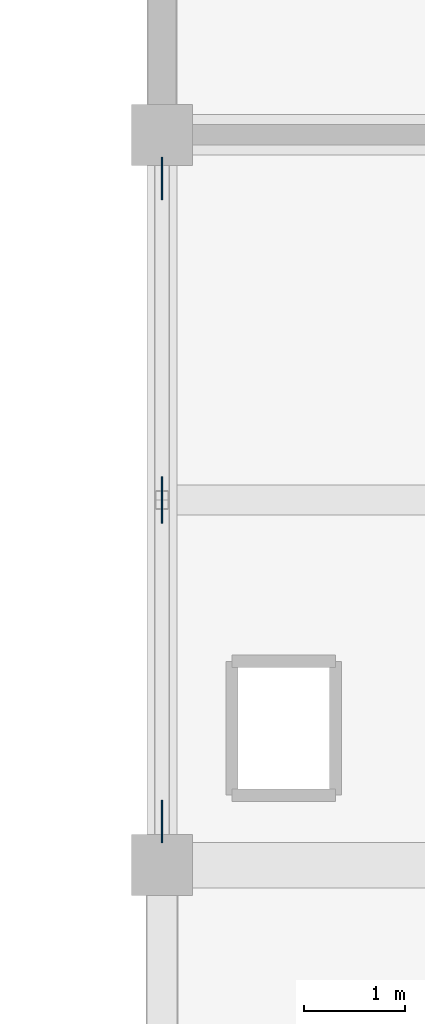
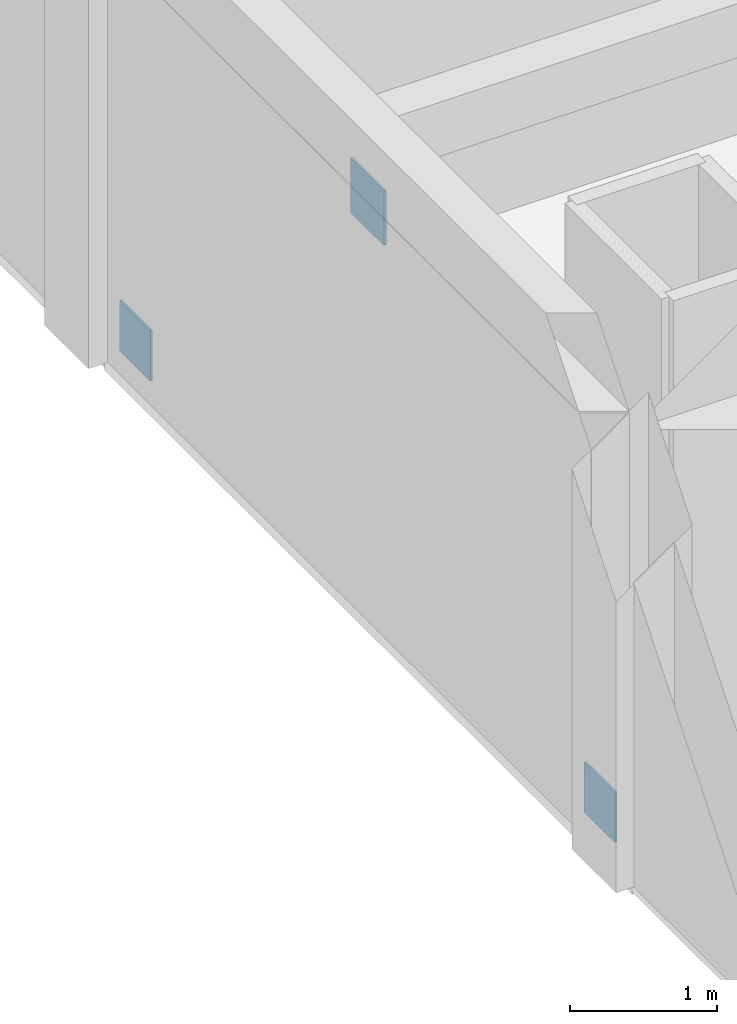
# One storey, part 48 of 70: 3 plates.
"""IFC4 building model written with IfcOpenShell, lengths in metres."""

from ifc_helpers import new_model, si_unit, direction, frame, origin, origin_2d, place, context, subcontext, project, spatial, rectangle, extrude, material, layer, layer_set, type_object, element, save


model = new_model("IFC4")

# Units and contexts
model_context = context("Model", 3, precision=1e-05, world=origin(), true_north=direction((0.0, 1.0)))
body_context = subcontext(model_context, "Body", "Model", "MODEL_VIEW")
ifc_project = project(units=[si_unit("LENGTHUNIT", "METRE"), si_unit("AREAUNIT", "SQUARE_METRE"), si_unit("VOLUMEUNIT", "CUBIC_METRE"), si_unit("PLANEANGLEUNIT", "RADIAN"), si_unit("MASSUNIT", "GRAM", prefix="KILO")], contexts=[model_context])

# Site, building, storey
site_placement = place(None, origin())
site = spatial("IfcSite", under=ifc_project, at=site_placement, CompositionType="ELEMENT")
building_placement = place(site_placement, origin())
building = spatial("IfcBuilding", under=site, at=building_placement, Name="Kavelor Marine Aquarium", CompositionType="ELEMENT")
storey_placement = place(building_placement, frame((0.0, 0.0, 9.179931640625)))
storey = spatial("IfcBuildingStorey", under=building, at=storey_placement, Name="L02", CompositionType="ELEMENT", Elevation=9.179931640625)

# Plates
ifc_material_1 = material(Name="Steel S355", Category="steel")
ifc_layer_1 = layer(ifc_material_1, 0.01953125)
ifc_layer_set_1 = layer_set([ifc_layer_1], Name="PL-GP11")
plate_type_1 = type_object("IfcPlateType", Name="PL-GP11", PredefinedType="SHEET", material=ifc_layer_set_1)
plate_placement = place(storey_placement, frame((3.199951171875, 92.800048828125, 3.0625), z_axis=(0.0, 0.0, 1.0), x_axis=(1.0, 0.0, 0.0)))
element("IfcPlate", 1, at=plate_placement, inside=storey, type_object=plate_type_1, Name="sbr:gp:m:2", PredefinedType="SHEET", context=body_context, shape_type="SweptSolid", body=[
    extrude(rectangle(XDim=0.01953125, YDim=0.455078125, at=origin_2d()), origin(), (0.0, 0.0, 1.0), 0.455078125),
])
ifc_material_2 = material(Name="Steel S355", Category="steel")
ifc_layer_2 = layer(ifc_material_2, 0.01806640625)
ifc_layer_set_2 = layer_set([ifc_layer_2], Name="PL-GP12")
plate_type_2 = type_object("IfcPlateType", Name="PL-GP12", PredefinedType="SHEET", material=ifc_layer_set_2)
for number, where, z_axis, x_axis, name in (
    (2, (3.199951171875, 89.6298828125, 0.0), (0.0, 0.0, 1.0), (1.0, 0.0, 0.0), "sbr:gp:a:2"),
    (3, (3.199951171875, 95.969970703125, 0.0), (0.0, 0.0, 1.0), (1.0, 0.0, 0.0), "sbr:gp:b:2"),
):
    element("IfcPlate", number, at=place(storey_placement, frame(where, z_axis=z_axis, x_axis=x_axis)), inside=storey, type_object=plate_type_2, Name=name, PredefinedType="SHEET", context=body_context, shape_type="SweptSolid", body=[
        extrude(rectangle(XDim=0.01806640625, YDim=0.419921875, at=origin_2d()), origin(), (0.0, 0.0, 1.0), 0.419921875),
    ])

save(model, "model.ifc")
